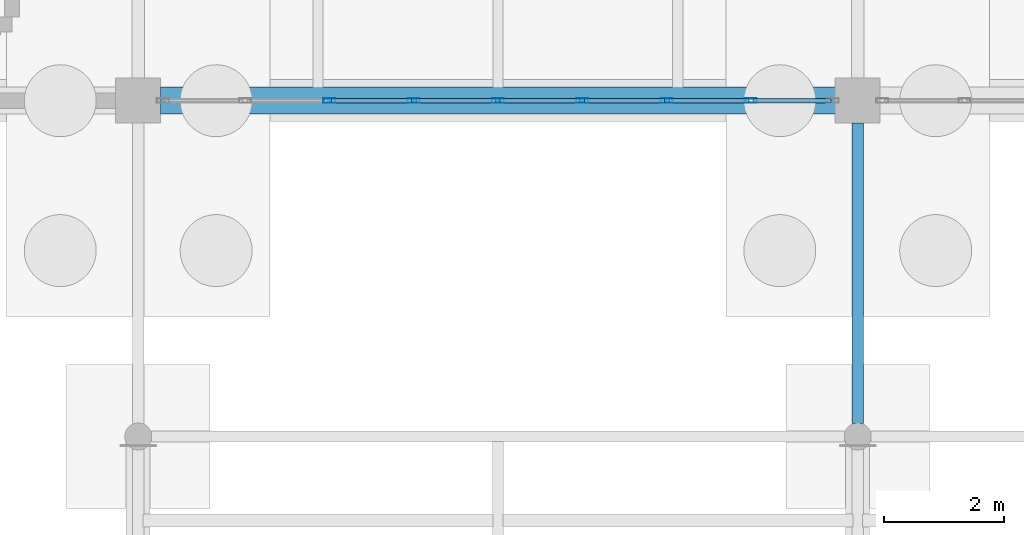
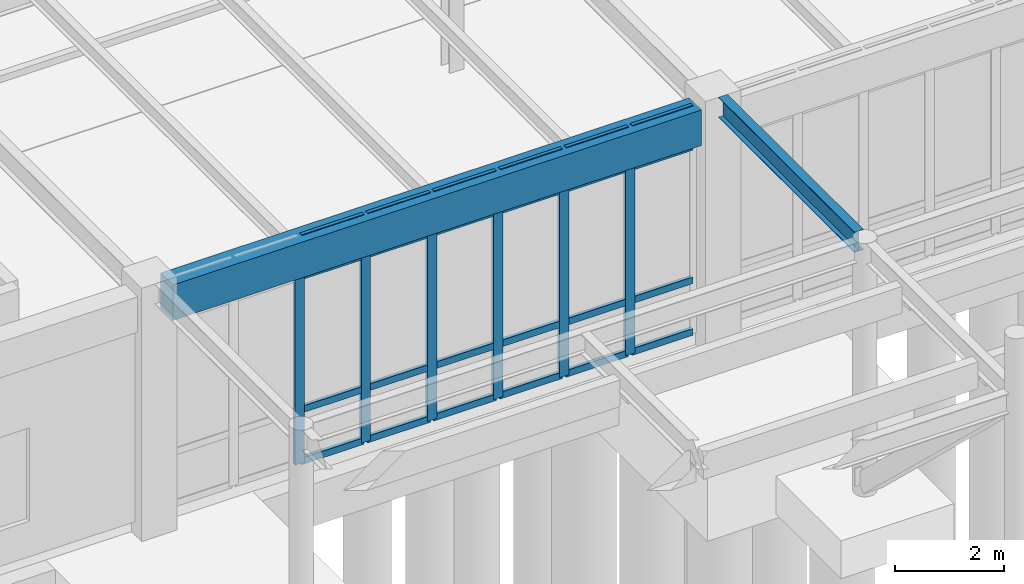
# One storey, part 55 of 188: 30 members, 2 beams, 1 element without a shape of its own.
"""IFC4 building model written with IfcOpenShell, lengths in metres."""

from ifc_helpers import new_model, si_unit, direction, frame, origin, origin_2d, place, context, subcontext, project, spatial, rectangle, hollow_rectangle, i_section, extrude, material, layer, layer_set, material_profile, profile_set, type_object, element, aggregate, save


model = new_model("IFC4")

# Units and contexts
model_context = context("Model", 3, precision=1e-05, world=origin(), true_north=direction((0.0, 1.0)))
body_context = subcontext(model_context, "Body", "Model", "MODEL_VIEW")
ifc_project = project(units=[si_unit("LENGTHUNIT", "METRE"), si_unit("AREAUNIT", "SQUARE_METRE"), si_unit("VOLUMEUNIT", "CUBIC_METRE"), si_unit("PLANEANGLEUNIT", "RADIAN"), si_unit("MASSUNIT", "GRAM", prefix="KILO")], contexts=[model_context])

# Site, building, storey
site_placement = place(None, origin())
site = spatial("IfcSite", under=ifc_project, at=site_placement, CompositionType="ELEMENT")
building_placement = place(site_placement, origin())
building = spatial("IfcBuilding", under=site, at=building_placement, Name="Pandanus Reach Market Hall", CompositionType="ELEMENT")
storey_placement = place(building_placement, origin())
storey = spatial("IfcBuildingStorey", under=building, at=storey_placement, Name="L00", CompositionType="ELEMENT", Elevation=0.0)

# Beams
ifc_material_1 = material(Name="Concrete N40 (40 MPa)", Category="concrete")
ifc_material_profile_1 = material_profile(ifc_material_1, rectangle(XDim=0.449951171875, YDim=0.800048828125, at=origin_2d()), Name="RC450x800", Category="LoadBearing")
ifc_profile_set_1 = profile_set([ifc_material_profile_1], Name="Concrete N40 (40 MPa)")
beam_type_1 = type_object("IfcBeamType", Name="BM-RC450-E", PredefinedType="SPANDREL", material=ifc_profile_set_1)
beam_1_placement = place(storey_placement, frame((60.373046875, 28.800048828125, 4.719970703125), z_axis=(1.0, 0.0, 0.0), x_axis=(0.0, 1.0, 0.0)))
element("IfcBeam", 1, at=beam_1_placement, inside=storey, type_object=beam_type_1, Name="Framing beam BM-RC450-E L00.1039", PredefinedType="SPANDREL", context=body_context, shape_type="SweptSolid", body=[
    extrude(rectangle(XDim=0.449951171875, YDim=0.800048828125, at=origin_2d()), origin(), (0.0, 0.0, 1.0), 11.25390625),
])
ifc_material_2 = material(Name="Steel Grade 350 (350 MPa)", Category="steel")
ifc_material_profile_2 = material_profile(ifc_material_2, i_section(OverallWidth=0.18994140625, OverallDepth=0.45703125, WebThickness=0.009033203125, FlangeThickness=0.014404296875, at=origin_2d()), Name="460UB74.6", Category="LoadBearing")
ifc_profile_set_2 = profile_set([ifc_material_profile_2], Name="Steel Grade 350 (350 MPa)")
beam_type_2 = type_object("IfcBeamType", Name="BM-UB460-E", PredefinedType="BEAM", material=ifc_profile_set_2)
beam_2_placement = place(storey_placement, frame((72.0, 23.419921875, 5.169921875), z_axis=(0.0, 1.0, 0.0), x_axis=(-1.0, 0.0, 0.0)))
element("IfcBeam", 2, at=beam_2_placement, inside=storey, type_object=beam_type_2, Name="Forecourt canopy tie beam C2B", PredefinedType="BEAM", context=body_context, shape_type="SweptSolid", body=[
    extrude(i_section(OverallWidth=0.18994140625, OverallDepth=0.45703125, WebThickness=0.009033203125, FlangeThickness=0.014404296875, at=origin_2d()), origin(), (0.0, 0.0, 1.0), 5.010009765625),
])

# Curtain wall, members
ifc_material_3 = material(Name="Bronze anodised aluminium and low-E glass", Category="aluminium")
ifc_layer = layer(ifc_material_3, 0.199951171875, Name="CW-01")
ifc_layer_set = layer_set([ifc_layer], Name="Bronze anodised aluminium and low-E glass")
curtain_wall_type = type_object("IfcCurtainWallType", Name="CW-01", PredefinedType="NOTDEFINED", material=ifc_layer_set)
curtain_wall_placement = place(storey_placement, origin())
curtain_wall = element("IfcCurtainWall", 3, at=curtain_wall_placement, inside=storey, type_object=curtain_wall_type, Name="Glazed curtain wall CW-01 CW-0001", PredefinedType="NOTDEFINED")
ifc_material_4 = material(Name="Bronze anodised aluminium", Category="aluminium")
ifc_material_profile_3 = material_profile(ifc_material_4, hollow_rectangle(XDim=0.074951171875, YDim=0.199951171875, WallThickness=0.00439453125, at=origin_2d()), Name="ALU75x200", Category="LoadBearing")
ifc_profile_set_3 = profile_set([ifc_material_profile_3], Name="Bronze anodised aluminium")
member_type_1 = type_object("IfcMemberType", Name="CW-M2", PredefinedType="MULLION", material=ifc_profile_set_3)
member_1_placement = place(storey_placement, frame((63.1875, 28.800048828125, 0.0), z_axis=(0.0, 0.0, 1.0), x_axis=(0.0, 1.0, 0.0)))
member_1 = element("IfcMember", 4, at=member_1_placement, type_object=member_type_1, Name="CW-01 mullion 3", PredefinedType="MULLION", context=body_context, shape_type="SweptSolid", body=[
    extrude(hollow_rectangle(XDim=0.074951171875, YDim=0.199951171875, WallThickness=0.00439453125, at=origin_2d()), origin(), (0.0, 0.0, 1.0), 5.10009765625),
])
member_2_placement = place(storey_placement, frame((64.59375, 28.800048828125, 0.0), z_axis=(0.0, 0.0, 1.0), x_axis=(0.0, 1.0, 0.0)))
member_2 = element("IfcMember", 5, at=member_2_placement, type_object=member_type_1, Name="CW-01 mullion 4", PredefinedType="MULLION", context=body_context, shape_type="SweptSolid", body=[
    extrude(hollow_rectangle(XDim=0.074951171875, YDim=0.199951171875, WallThickness=0.00439453125, at=origin_2d()), origin(), (0.0, 0.0, 1.0), 5.10009765625),
])
member_3_placement = place(storey_placement, frame((66.0, 28.800048828125, 0.0), z_axis=(0.0, 0.0, 1.0), x_axis=(0.0, 1.0, 0.0)))
member_3 = element("IfcMember", 6, at=member_3_placement, type_object=member_type_1, Name="CW-01 mullion 5", PredefinedType="MULLION", context=body_context, shape_type="SweptSolid", body=[
    extrude(hollow_rectangle(XDim=0.074951171875, YDim=0.199951171875, WallThickness=0.00439453125, at=origin_2d()), origin(), (0.0, 0.0, 1.0), 5.10009765625),
])
member_4_placement = place(storey_placement, frame((67.40625, 28.800048828125, 0.0), z_axis=(0.0, 0.0, 1.0), x_axis=(0.0, 1.0, 0.0)))
member_4 = element("IfcMember", 7, at=member_4_placement, type_object=member_type_1, Name="CW-01 mullion 6", PredefinedType="MULLION", context=body_context, shape_type="SweptSolid", body=[
    extrude(hollow_rectangle(XDim=0.074951171875, YDim=0.199951171875, WallThickness=0.00439453125, at=origin_2d()), origin(), (0.0, 0.0, 1.0), 5.10009765625),
])
member_5_placement = place(storey_placement, frame((68.8125, 28.800048828125, 0.0), z_axis=(0.0, 0.0, 1.0), x_axis=(0.0, 1.0, 0.0)))
member_5 = element("IfcMember", 8, at=member_5_placement, type_object=member_type_1, Name="CW-01 mullion 7", PredefinedType="MULLION", context=body_context, shape_type="SweptSolid", body=[
    extrude(hollow_rectangle(XDim=0.074951171875, YDim=0.199951171875, WallThickness=0.00439453125, at=origin_2d()), origin(), (0.0, 0.0, 1.0), 5.10009765625),
])
member_6_placement = place(storey_placement, frame((70.21875, 28.800048828125, 0.0), z_axis=(0.0, 0.0, 1.0), x_axis=(0.0, 1.0, 0.0)))
member_6 = element("IfcMember", 9, at=member_6_placement, type_object=member_type_1, Name="CW-01 mullion 8", PredefinedType="MULLION", context=body_context, shape_type="SweptSolid", body=[
    extrude(hollow_rectangle(XDim=0.074951171875, YDim=0.199951171875, WallThickness=0.00439453125, at=origin_2d()), origin(), (0.0, 0.0, 1.0), 5.10009765625),
])
ifc_material_profile_4 = material_profile(ifc_material_4, hollow_rectangle(XDim=0.074951171875, YDim=0.14990234375, WallThickness=0.00439453125, at=origin_2d()), Name="ALU75x150", Category="LoadBearing")
ifc_profile_set_4 = profile_set([ifc_material_profile_4], Name="Bronze anodised aluminium")
member_type_2 = type_object("IfcMemberType", Name="CW-T2", PredefinedType="USERDEFINED", material=ifc_profile_set_4)
member_7_placement = place(storey_placement, frame((63.22509765625, 28.800048828125, 0.03759765625), z_axis=(1.0, 0.0, 0.0), x_axis=(0.0, 1.0, 0.0)))
member_7 = element("IfcMember", 10, at=member_7_placement, type_object=member_type_2, Name="CW-01 transom 3.1", ObjectType="TRANSOM", PredefinedType="USERDEFINED", context=body_context, shape_type="SweptSolid", body=[
    extrude(hollow_rectangle(XDim=0.074951171875, YDim=0.14990234375, WallThickness=0.00439453125, at=origin_2d()), origin(), (0.0, 0.0, 1.0), 1.3310546875),
])
member_8_placement = place(storey_placement, frame((63.22509765625, 28.800048828125, 1.199951171875), z_axis=(1.0, 0.0, 0.0), x_axis=(0.0, 1.0, 0.0)))
member_8 = element("IfcMember", 11, at=member_8_placement, type_object=member_type_2, Name="CW-01 transom 3.2", ObjectType="TRANSOM", PredefinedType="USERDEFINED", context=body_context, shape_type="SweptSolid", body=[
    extrude(hollow_rectangle(XDim=0.074951171875, YDim=0.14990234375, WallThickness=0.00439453125, at=origin_2d()), origin(), (0.0, 0.0, 1.0), 1.3310546875),
])
member_9_placement = place(storey_placement, frame((63.22509765625, 28.800048828125, 4.199951171875), z_axis=(1.0, 0.0, 0.0), x_axis=(0.0, 1.0, 0.0)))
member_9 = element("IfcMember", 12, at=member_9_placement, type_object=member_type_2, Name="CW-01 transom 3.3", ObjectType="TRANSOM", PredefinedType="USERDEFINED", context=body_context, shape_type="SweptSolid", body=[
    extrude(hollow_rectangle(XDim=0.074951171875, YDim=0.14990234375, WallThickness=0.00439453125, at=origin_2d()), origin(), (0.0, 0.0, 1.0), 1.3310546875),
])
member_10_placement = place(storey_placement, frame((63.22509765625, 28.800048828125, 5.0625), z_axis=(1.0, 0.0, 0.0), x_axis=(0.0, 1.0, 0.0)))
member_10 = element("IfcMember", 13, at=member_10_placement, type_object=member_type_2, Name="CW-01 transom 3.4", ObjectType="TRANSOM", PredefinedType="USERDEFINED", context=body_context, shape_type="SweptSolid", body=[
    extrude(hollow_rectangle(XDim=0.074951171875, YDim=0.14990234375, WallThickness=0.00439453125, at=origin_2d()), origin(), (0.0, 0.0, 1.0), 1.3310546875),
])
member_11_placement = place(storey_placement, frame((64.63134765625, 28.800048828125, 0.03759765625), z_axis=(1.0, 0.0, 0.0), x_axis=(0.0, 1.0, 0.0)))
member_11 = element("IfcMember", 14, at=member_11_placement, type_object=member_type_2, Name="CW-01 transom 4.1", ObjectType="TRANSOM", PredefinedType="USERDEFINED", context=body_context, shape_type="SweptSolid", body=[
    extrude(hollow_rectangle(XDim=0.074951171875, YDim=0.14990234375, WallThickness=0.00439453125, at=origin_2d()), origin(), (0.0, 0.0, 1.0), 1.3310546875),
])
member_12_placement = place(storey_placement, frame((64.63134765625, 28.800048828125, 1.199951171875), z_axis=(1.0, 0.0, 0.0), x_axis=(0.0, 1.0, 0.0)))
member_12 = element("IfcMember", 15, at=member_12_placement, type_object=member_type_2, Name="CW-01 transom 4.2", ObjectType="TRANSOM", PredefinedType="USERDEFINED", context=body_context, shape_type="SweptSolid", body=[
    extrude(hollow_rectangle(XDim=0.074951171875, YDim=0.14990234375, WallThickness=0.00439453125, at=origin_2d()), origin(), (0.0, 0.0, 1.0), 1.3310546875),
])
member_13_placement = place(storey_placement, frame((64.63134765625, 28.800048828125, 4.199951171875), z_axis=(1.0, 0.0, 0.0), x_axis=(0.0, 1.0, 0.0)))
member_13 = element("IfcMember", 16, at=member_13_placement, type_object=member_type_2, Name="CW-01 transom 4.3", ObjectType="TRANSOM", PredefinedType="USERDEFINED", context=body_context, shape_type="SweptSolid", body=[
    extrude(hollow_rectangle(XDim=0.074951171875, YDim=0.14990234375, WallThickness=0.00439453125, at=origin_2d()), origin(), (0.0, 0.0, 1.0), 1.3310546875),
])
member_14_placement = place(storey_placement, frame((64.63134765625, 28.800048828125, 5.0625), z_axis=(1.0, 0.0, 0.0), x_axis=(0.0, 1.0, 0.0)))
member_14 = element("IfcMember", 17, at=member_14_placement, type_object=member_type_2, Name="CW-01 transom 4.4", ObjectType="TRANSOM", PredefinedType="USERDEFINED", context=body_context, shape_type="SweptSolid", body=[
    extrude(hollow_rectangle(XDim=0.074951171875, YDim=0.14990234375, WallThickness=0.00439453125, at=origin_2d()), origin(), (0.0, 0.0, 1.0), 1.3310546875),
])
member_15_placement = place(storey_placement, frame((66.03759765625, 28.800048828125, 0.03759765625), z_axis=(1.0, 0.0, 0.0), x_axis=(0.0, 1.0, 0.0)))
member_15 = element("IfcMember", 18, at=member_15_placement, type_object=member_type_2, Name="CW-01 transom 5.1", ObjectType="TRANSOM", PredefinedType="USERDEFINED", context=body_context, shape_type="SweptSolid", body=[
    extrude(hollow_rectangle(XDim=0.074951171875, YDim=0.14990234375, WallThickness=0.00439453125, at=origin_2d()), origin(), (0.0, 0.0, 1.0), 1.3310546875),
])
member_16_placement = place(storey_placement, frame((66.03759765625, 28.800048828125, 1.199951171875), z_axis=(1.0, 0.0, 0.0), x_axis=(0.0, 1.0, 0.0)))
member_16 = element("IfcMember", 19, at=member_16_placement, type_object=member_type_2, Name="CW-01 transom 5.2", ObjectType="TRANSOM", PredefinedType="USERDEFINED", context=body_context, shape_type="SweptSolid", body=[
    extrude(hollow_rectangle(XDim=0.074951171875, YDim=0.14990234375, WallThickness=0.00439453125, at=origin_2d()), origin(), (0.0, 0.0, 1.0), 1.3310546875),
])
member_17_placement = place(storey_placement, frame((66.03759765625, 28.800048828125, 4.199951171875), z_axis=(1.0, 0.0, 0.0), x_axis=(0.0, 1.0, 0.0)))
member_17 = element("IfcMember", 20, at=member_17_placement, type_object=member_type_2, Name="CW-01 transom 5.3", ObjectType="TRANSOM", PredefinedType="USERDEFINED", context=body_context, shape_type="SweptSolid", body=[
    extrude(hollow_rectangle(XDim=0.074951171875, YDim=0.14990234375, WallThickness=0.00439453125, at=origin_2d()), origin(), (0.0, 0.0, 1.0), 1.3310546875),
])
member_18_placement = place(storey_placement, frame((66.03759765625, 28.800048828125, 5.0625), z_axis=(1.0, 0.0, 0.0), x_axis=(0.0, 1.0, 0.0)))
member_18 = element("IfcMember", 21, at=member_18_placement, type_object=member_type_2, Name="CW-01 transom 5.4", ObjectType="TRANSOM", PredefinedType="USERDEFINED", context=body_context, shape_type="SweptSolid", body=[
    extrude(hollow_rectangle(XDim=0.074951171875, YDim=0.14990234375, WallThickness=0.00439453125, at=origin_2d()), origin(), (0.0, 0.0, 1.0), 1.3310546875),
])
member_19_placement = place(storey_placement, frame((67.44384765625, 28.800048828125, 0.03759765625), z_axis=(1.0, 0.0, 0.0), x_axis=(0.0, 1.0, 0.0)))
member_19 = element("IfcMember", 22, at=member_19_placement, type_object=member_type_2, Name="CW-01 transom 6.1", ObjectType="TRANSOM", PredefinedType="USERDEFINED", context=body_context, shape_type="SweptSolid", body=[
    extrude(hollow_rectangle(XDim=0.074951171875, YDim=0.14990234375, WallThickness=0.00439453125, at=origin_2d()), origin(), (0.0, 0.0, 1.0), 1.3310546875),
])
member_20_placement = place(storey_placement, frame((67.44384765625, 28.800048828125, 1.199951171875), z_axis=(1.0, 0.0, 0.0), x_axis=(0.0, 1.0, 0.0)))
member_20 = element("IfcMember", 23, at=member_20_placement, type_object=member_type_2, Name="CW-01 transom 6.2", ObjectType="TRANSOM", PredefinedType="USERDEFINED", context=body_context, shape_type="SweptSolid", body=[
    extrude(hollow_rectangle(XDim=0.074951171875, YDim=0.14990234375, WallThickness=0.00439453125, at=origin_2d()), origin(), (0.0, 0.0, 1.0), 1.3310546875),
])
member_21_placement = place(storey_placement, frame((67.44384765625, 28.800048828125, 4.199951171875), z_axis=(1.0, 0.0, 0.0), x_axis=(0.0, 1.0, 0.0)))
member_21 = element("IfcMember", 24, at=member_21_placement, type_object=member_type_2, Name="CW-01 transom 6.3", ObjectType="TRANSOM", PredefinedType="USERDEFINED", context=body_context, shape_type="SweptSolid", body=[
    extrude(hollow_rectangle(XDim=0.074951171875, YDim=0.14990234375, WallThickness=0.00439453125, at=origin_2d()), origin(), (0.0, 0.0, 1.0), 1.3310546875),
])
member_22_placement = place(storey_placement, frame((67.44384765625, 28.800048828125, 5.0625), z_axis=(1.0, 0.0, 0.0), x_axis=(0.0, 1.0, 0.0)))
member_22 = element("IfcMember", 25, at=member_22_placement, type_object=member_type_2, Name="CW-01 transom 6.4", ObjectType="TRANSOM", PredefinedType="USERDEFINED", context=body_context, shape_type="SweptSolid", body=[
    extrude(hollow_rectangle(XDim=0.074951171875, YDim=0.14990234375, WallThickness=0.00439453125, at=origin_2d()), origin(), (0.0, 0.0, 1.0), 1.3310546875),
])
member_23_placement = place(storey_placement, frame((68.85009765625, 28.800048828125, 0.03759765625), z_axis=(1.0, 0.0, 0.0), x_axis=(0.0, 1.0, 0.0)))
member_23 = element("IfcMember", 26, at=member_23_placement, type_object=member_type_2, Name="CW-01 transom 7.1", ObjectType="TRANSOM", PredefinedType="USERDEFINED", context=body_context, shape_type="SweptSolid", body=[
    extrude(hollow_rectangle(XDim=0.074951171875, YDim=0.14990234375, WallThickness=0.00439453125, at=origin_2d()), origin(), (0.0, 0.0, 1.0), 1.3310546875),
])
member_24_placement = place(storey_placement, frame((68.85009765625, 28.800048828125, 1.199951171875), z_axis=(1.0, 0.0, 0.0), x_axis=(0.0, 1.0, 0.0)))
member_24 = element("IfcMember", 27, at=member_24_placement, type_object=member_type_2, Name="CW-01 transom 7.2", ObjectType="TRANSOM", PredefinedType="USERDEFINED", context=body_context, shape_type="SweptSolid", body=[
    extrude(hollow_rectangle(XDim=0.074951171875, YDim=0.14990234375, WallThickness=0.00439453125, at=origin_2d()), origin(), (0.0, 0.0, 1.0), 1.3310546875),
])
member_25_placement = place(storey_placement, frame((68.85009765625, 28.800048828125, 4.199951171875), z_axis=(1.0, 0.0, 0.0), x_axis=(0.0, 1.0, 0.0)))
member_25 = element("IfcMember", 28, at=member_25_placement, type_object=member_type_2, Name="CW-01 transom 7.3", ObjectType="TRANSOM", PredefinedType="USERDEFINED", context=body_context, shape_type="SweptSolid", body=[
    extrude(hollow_rectangle(XDim=0.074951171875, YDim=0.14990234375, WallThickness=0.00439453125, at=origin_2d()), origin(), (0.0, 0.0, 1.0), 1.3310546875),
])
member_26_placement = place(storey_placement, frame((68.85009765625, 28.800048828125, 5.0625), z_axis=(1.0, 0.0, 0.0), x_axis=(0.0, 1.0, 0.0)))
member_26 = element("IfcMember", 29, at=member_26_placement, type_object=member_type_2, Name="CW-01 transom 7.4", ObjectType="TRANSOM", PredefinedType="USERDEFINED", context=body_context, shape_type="SweptSolid", body=[
    extrude(hollow_rectangle(XDim=0.074951171875, YDim=0.14990234375, WallThickness=0.00439453125, at=origin_2d()), origin(), (0.0, 0.0, 1.0), 1.3310546875),
])
member_27_placement = place(storey_placement, frame((70.25634765625, 28.800048828125, 0.03759765625), z_axis=(1.0, 0.0, 0.0), x_axis=(0.0, 1.0, 0.0)))
member_27 = element("IfcMember", 30, at=member_27_placement, type_object=member_type_2, Name="CW-01 transom 8.1", ObjectType="TRANSOM", PredefinedType="USERDEFINED", context=body_context, shape_type="SweptSolid", body=[
    extrude(hollow_rectangle(XDim=0.074951171875, YDim=0.14990234375, WallThickness=0.00439453125, at=origin_2d()), origin(), (0.0, 0.0, 1.0), 1.293701171875),
])
member_28_placement = place(storey_placement, frame((70.25634765625, 28.800048828125, 1.199951171875), z_axis=(1.0, 0.0, 0.0), x_axis=(0.0, 1.0, 0.0)))
member_28 = element("IfcMember", 31, at=member_28_placement, type_object=member_type_2, Name="CW-01 transom 8.2", ObjectType="TRANSOM", PredefinedType="USERDEFINED", context=body_context, shape_type="SweptSolid", body=[
    extrude(hollow_rectangle(XDim=0.074951171875, YDim=0.14990234375, WallThickness=0.00439453125, at=origin_2d()), origin(), (0.0, 0.0, 1.0), 1.293701171875),
])
member_29_placement = place(storey_placement, frame((70.25634765625, 28.800048828125, 4.199951171875), z_axis=(1.0, 0.0, 0.0), x_axis=(0.0, 1.0, 0.0)))
member_29 = element("IfcMember", 32, at=member_29_placement, type_object=member_type_2, Name="CW-01 transom 8.3", ObjectType="TRANSOM", PredefinedType="USERDEFINED", context=body_context, shape_type="SweptSolid", body=[
    extrude(hollow_rectangle(XDim=0.074951171875, YDim=0.14990234375, WallThickness=0.00439453125, at=origin_2d()), origin(), (0.0, 0.0, 1.0), 1.293701171875),
])
member_30_placement = place(storey_placement, frame((70.25634765625, 28.800048828125, 5.0625), z_axis=(1.0, 0.0, 0.0), x_axis=(0.0, 1.0, 0.0)))
member_30 = element("IfcMember", 33, at=member_30_placement, type_object=member_type_2, Name="CW-01 transom 8.4", ObjectType="TRANSOM", PredefinedType="USERDEFINED", context=body_context, shape_type="SweptSolid", body=[
    extrude(hollow_rectangle(XDim=0.074951171875, YDim=0.14990234375, WallThickness=0.00439453125, at=origin_2d()), origin(), (0.0, 0.0, 1.0), 1.293701171875),
])
aggregate(curtain_wall, [member_1, member_2, member_3, member_4, member_5, member_6, member_7, member_8, member_9, member_10, member_11, member_12, member_13, member_14, member_15, member_16, member_17, member_18, member_19, member_20, member_21, member_22, member_23, member_24, member_25, member_26, member_27, member_28, member_29, member_30])

save(model, "model.ifc")
